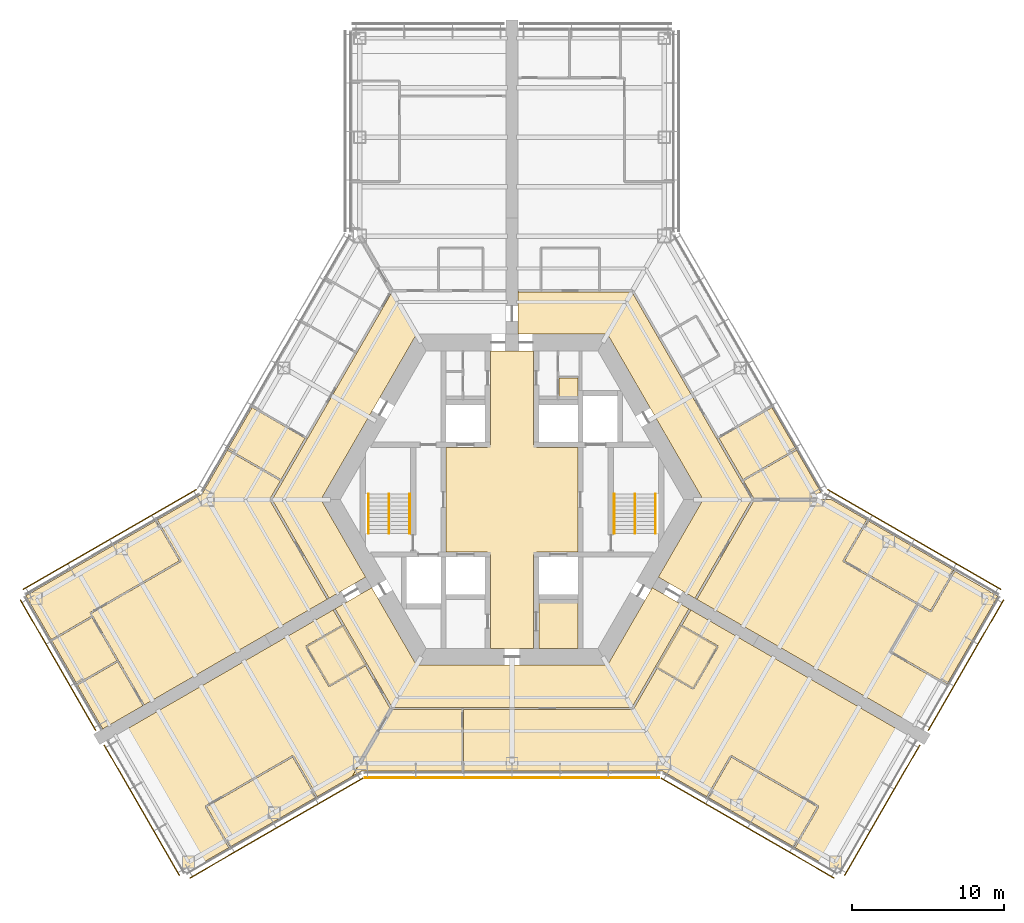
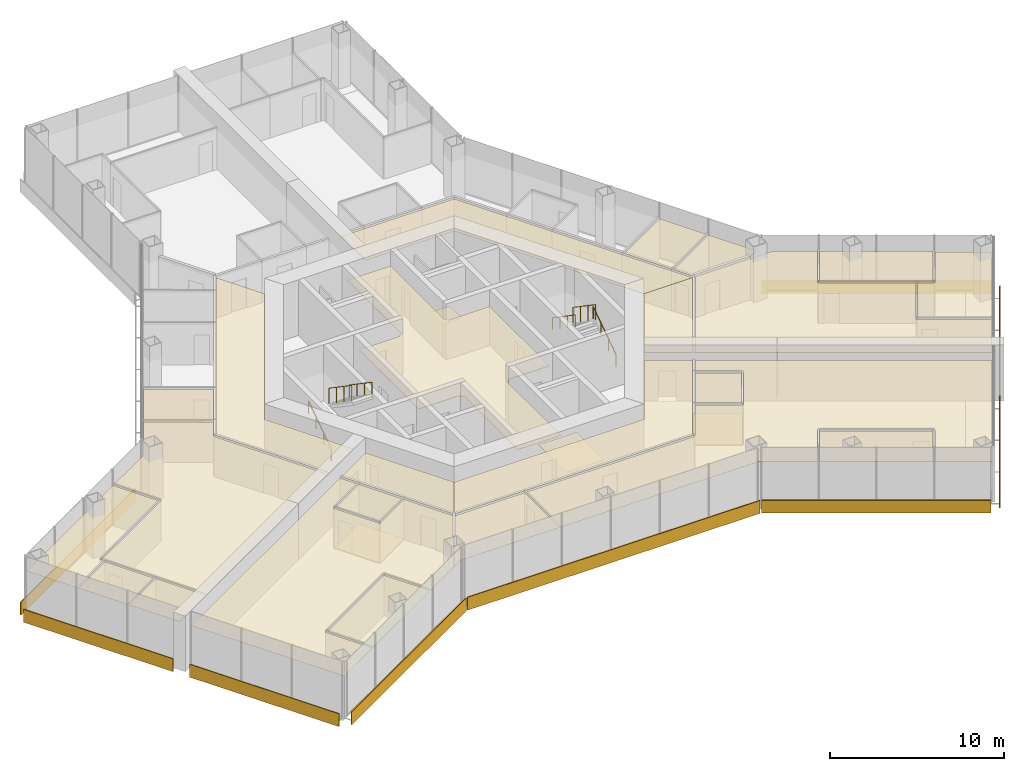
# One storey, part 18 of 19: 27 coverings, 9 shading devices, 6 railings.
"""IFC4 building model written with IfcOpenShell, lengths in metres."""

import ifcopenshell
import ifcopenshell.guid

model = None  # the IFC model being written
_history = None  # IfcOwnerHistory: only IFC2X3 demands one
_inside = {}  # id of a spatial element -> (the spatial element, [elements in it])
_under = {}  # id of a project, library or spatial element -> (it, [spatial elements below it])
_declared = {}  # id of a project -> (the project, [libraries it declares])
_typed = {}  # id of a type object -> (the type object, [elements of that type])
_made_of = {}  # id of a material, layer set ... -> (it, [elements and type objects made of it])


def new_model(schema):
    """Start an empty IFC model of exactly this schema.

    Asked for "IFC4X3", IfcOpenShell would pick the latest addendum, in which some entities
    have other attributes; the version numbers below select the first issue.
    IFC2X3 requires an IfcOwnerHistory on every rooted entity: one is made here for all.
    """
    global model, _history
    if schema == "IFC4X3":
        model = ifcopenshell.file(schema_version=(4, 3, 0, 0))
    else:
        model = ifcopenshell.file(schema=schema)
    _inside.clear()
    _under.clear()
    _declared.clear()
    _typed.clear()
    _made_of.clear()
    _history = None
    if model.schema == "IFC2X3":
        org = make("IfcOrganization", Name="unknown")
        user = make(
            "IfcPersonAndOrganization",
            ThePerson=make("IfcPerson", FamilyName="unknown"),
            TheOrganization=org,
        )
        app = make(
            "IfcApplication",
            ApplicationDeveloper=org,
            Version="unknown",
            ApplicationFullName="unknown",
            ApplicationIdentifier="unknown",
        )
        _history = make(
            "IfcOwnerHistory",
            OwningUser=user,
            OwningApplication=app,
            ChangeAction="ADDED",
            CreationDate=0,
        )
    return model


def make(cls, **values):
    """One entity of the class cls with the attributes given. An attribute that is None is left unset."""
    return model.create_entity(
        cls, **{name: value for name, value in values.items() if value is not None}
    )


def rooted(cls, **values):
    """An entity with a GlobalId (a new one), such as an element, a storey or a relation."""
    return make(cls, GlobalId=ifcopenshell.guid.new(), OwnerHistory=_history, **values)


def si_unit(unit_type, name, prefix=None):
    """IfcSIUnit, for example si_unit("LENGTHUNIT", "METRE", prefix="MILLI")."""
    return make("IfcSIUnit", UnitType=unit_type, Prefix=prefix, Name=name)


def assignment(units):
    """IfcUnitAssignment: the units of a project."""
    return None if units is None else make("IfcUnitAssignment", Units=units)


def point(xyz):
    """IfcCartesianPoint."""
    return None if xyz is None else make("IfcCartesianPoint", Coordinates=xyz)


def direction(xyz):
    """IfcDirection."""
    return None if xyz is None else make("IfcDirection", DirectionRatios=xyz)


def frame(location, z_axis=None, x_axis=None):
    """IfcAxis2Placement3D, a coordinate frame: its origin and axes. An axis left out is left unset."""
    return make(
        "IfcAxis2Placement3D",
        Location=point(location),
        Axis=direction(z_axis),
        RefDirection=direction(x_axis),
    )


def frame_2d(location, x_axis=None):
    """IfcAxis2Placement2D, a coordinate frame in the plane: its origin and x axis."""
    return make(
        "IfcAxis2Placement2D", Location=point(location), RefDirection=direction(x_axis)
    )


def origin():
    """The frame at (0, 0, 0) with its axes left unset."""
    return frame((0.0, 0.0, 0.0))


def origin_2d():
    """The frame at (0, 0) in the plane with its x axis left unset."""
    return frame_2d((0.0, 0.0))


def place(relative_to, where):
    """IfcLocalPlacement: puts the frame where relative to a parent placement (None: the world)."""
    return make(
        "IfcLocalPlacement", PlacementRelTo=relative_to, RelativePlacement=where
    )


def context(
    kind, dimensions, precision=None, world=None, true_north=None, identifier=None
):
    """IfcGeometricRepresentationContext, for example the 3D "Model" context."""
    return make(
        "IfcGeometricRepresentationContext",
        ContextIdentifier=identifier,
        ContextType=kind,
        CoordinateSpaceDimension=dimensions,
        Precision=precision,
        WorldCoordinateSystem=world,
        TrueNorth=true_north,
    )


def subcontext(parent, identifier, kind, view, scale=None):
    """IfcGeometricRepresentationSubContext, for example "Body" below "Model"."""
    return make(
        "IfcGeometricRepresentationSubContext",
        ContextIdentifier=identifier,
        ContextType=kind,
        ParentContext=parent,
        TargetScale=scale,
        TargetView=view,
    )


def project(units=None, contexts=None):
    """IfcProject with its units and contexts."""
    return rooted(
        "IfcProject",
        Name="project",
        RepresentationContexts=contexts,
        UnitsInContext=assignment(units),
    )


def spatial(cls, under=None, at=None, **own):
    """A site, building, storey or space (cls), placed at a placement, below another one or the project."""
    s = rooted(cls, ObjectPlacement=at, **own)
    if under is not None:
        _under.setdefault(under.id(), (under, []))[1].append(s)
    return s


def polyline(points):
    """IfcPolyline through the points."""
    return make("IfcPolyline", Points=[point(p) for p in points])


def profile(cls, at=None, kind="AREA", **sizes):
    """A parametric profile (cls). Its sizes go by their IFC names, for example OverallWidth=200.0."""
    return make(cls, ProfileType=kind, Position=at, **sizes)


def rectangle(**sizes):
    """IfcRectangleProfileDef."""
    return profile("IfcRectangleProfileDef", **sizes)


def circle(**sizes):
    """IfcCircleProfileDef."""
    return profile("IfcCircleProfileDef", **sizes)


def outline(outer, holes=None, kind="AREA"):
    """IfcArbitraryClosedProfileDef: a profile drawn as a closed curve; with holes, ...WithVoids."""
    if holes is None:
        return make("IfcArbitraryClosedProfileDef", ProfileType=kind, OuterCurve=outer)
    return make(
        "IfcArbitraryProfileDefWithVoids",
        ProfileType=kind,
        OuterCurve=outer,
        InnerCurves=holes,
    )


def extrude(swept, where, along, depth):
    """IfcExtrudedAreaSolid: the profile swept, set in the frame where, extruded along a direction by depth."""
    return make(
        "IfcExtrudedAreaSolid",
        SweptArea=swept,
        Position=where,
        ExtrudedDirection=direction(along),
        Depth=depth,
    )


def shape(context_of_items, identifier, shape_type, items):
    """IfcShapeRepresentation: the items that make up one representation, for example the "Body"."""
    return make(
        "IfcShapeRepresentation",
        ContextOfItems=context_of_items,
        RepresentationIdentifier=identifier,
        RepresentationType=shape_type,
        Items=items,
    )


def material(Name=None, Category=None):
    """IfcMaterial."""
    return make("IfcMaterial", Name=Name, Category=Category)


def layer(
    of_material, thickness, ventilated=None, Name=None, Category=None, Priority=None
):
    """IfcMaterialLayer: one layer of a wall or slab, of a material (None: an air gap)."""
    return make(
        "IfcMaterialLayer",
        Material=of_material,
        LayerThickness=thickness,
        IsVentilated=ventilated,
        Name=Name,
        Category=Category,
        Priority=Priority,
    )


def layer_set(layers, Name=None):
    """IfcMaterialLayerSet."""
    return make("IfcMaterialLayerSet", MaterialLayers=layers, LayerSetName=Name)


def made_of(thing, what):
    """Note that an element or type object is made of a material, layer set ...; save() writes the relation."""
    if what is not None:
        _made_of.setdefault(what.id(), (what, []))[1].append(thing)
    return thing


def type_object(cls, material=None, **own):
    """A type object (cls), such as IfcWallType, which elements share."""
    return made_of(rooted(cls, **own), material)


def element(
    cls,
    number,
    at=None,
    inside=None,
    cuts=None,
    type_object=None,
    material=None,
    context=None,
    identifier="Body",
    shape_type=None,
    held_by="IfcProductDefinitionShape",
    body=None,
    shapes=None,
    **own,
):
    """One element of the class cls, such as IfcWall. Its Tag is "e" and its number.

    at: its placement. inside: the storey or other place that contains it. cuts: it is an
    opening in that element (IfcRelVoidsElement). A single representation is given by context,
    identifier, shape_type and body (its items); several are given by shapes. held_by: the class
    of the entity that holds the representations. save() writes the other relations.
    """
    e = rooted(cls, Tag="e%d" % number, ObjectPlacement=at, **own)
    if body is not None:
        shapes = [shape(context, identifier, shape_type, body)]
    if shapes is not None:
        e.Representation = make(held_by, Representations=shapes)
    if inside is not None:
        _inside.setdefault(inside.id(), (inside, []))[1].append(e)
    if cuts is not None:
        rooted(
            "IfcRelVoidsElement", RelatingBuildingElement=cuts, RelatedOpeningElement=e
        )
    if type_object is not None:
        _typed.setdefault(type_object.id(), (type_object, []))[1].append(e)
    return made_of(e, material)


def aggregate(whole, parts):
    """IfcRelAggregates: a whole, such as a stair, and the parts it consists of."""
    return rooted("IfcRelAggregates", RelatingObject=whole, RelatedObjects=parts)


def save(model, path):
    """Write the relations noted so far, then the file.

    IfcRelAggregates (storeys below a building ...), IfcRelContainedInSpatialStructure (elements
    in a storey), IfcRelDefinesByType, IfcRelAssociatesMaterial and IfcRelDeclares: one each for
    every whole, place, type object, material and project.
    """
    for whole, parts in _under.values():
        aggregate(whole, parts)
    for where, things in _inside.values():
        rooted(
            "IfcRelContainedInSpatialStructure",
            RelatedElements=things,
            RelatingStructure=where,
        )
    for kind, things in _typed.values():
        rooted("IfcRelDefinesByType", RelatedObjects=things, RelatingType=kind)
    for what, things in _made_of.values():
        rooted("IfcRelAssociatesMaterial", RelatedObjects=things, RelatingMaterial=what)
    for by, libraries in _declared.values():
        rooted("IfcRelDeclares", RelatingContext=by, RelatedDefinitions=libraries)
    model.write(path)


model = new_model("IFC4")

# Units and contexts
model_context = context("Model", 3, precision=1e-05, world=origin(), true_north=direction((0.0, 1.0)))
body_context = subcontext(model_context, "Body", "Model", "MODEL_VIEW")
ifc_project = project(units=[si_unit("LENGTHUNIT", "METRE"), si_unit("AREAUNIT", "SQUARE_METRE"), si_unit("VOLUMEUNIT", "CUBIC_METRE"), si_unit("PLANEANGLEUNIT", "RADIAN"), si_unit("MASSUNIT", "GRAM", prefix="KILO")], contexts=[model_context])

# Site, building, storey
site_placement = place(None, origin())
site = spatial("IfcSite", under=ifc_project, at=site_placement, CompositionType="ELEMENT")
building_placement = place(site_placement, origin())
building = spatial("IfcBuilding", under=site, at=building_placement, Name="Kasaneha Research Tower", CompositionType="ELEMENT")
storey_placement = place(building_placement, frame((0.0, 0.0, 104.10009765625)))
storey = spatial("IfcBuildingStorey", under=building, at=storey_placement, Name="L26", CompositionType="ELEMENT", Elevation=104.10009765625)

# Covering
ifc_material_1 = material(Name="Aluminium panel ceiling", Category="aluminium")
ifc_layer_1 = layer(ifc_material_1, 0.0400390625)
ifc_layer_set_1 = layer_set([ifc_layer_1], Name="Lift lobby ceiling 40")
covering_type_1 = type_object("IfcCoveringType", Name="Lift lobby ceiling 40", PredefinedType="CEILING", material=ifc_layer_set_1)
covering_1_placement = place(storey_placement, frame((0.0, 0.0, 2.699951171875)))
element("IfcCovering", 1, at=covering_1_placement, inside=storey, type_object=covering_type_1, Name="Ceiling L26-01", PredefinedType="CEILING", context=body_context, shape_type="SweptSolid", body=[
    extrude(outline(polyline([(1.425048828125, 9.77490234375), (1.425048828125, 3.60009765625), (1.60009765625, 3.60009765625), (1.60009765625, 3.425048828125), (4.324951171875, 3.425048828125), (4.324951171875, -3.425048828125), (1.60009765625, -3.425048828125), (1.60009765625, -3.60009765625), (1.425048828125, -3.60009765625), (1.425048828125, -9.77490234375), (-1.425048828125, -9.77490234375), (-1.425048828125, -3.60009765625), (-1.60009765625, -3.60009765625), (-1.60009765625, -3.425048828125), (-4.324951171875, -3.425048828125), (-4.324951171875, 3.425048828125), (-1.60009765625, 3.425048828125), (-1.60009765625, 3.60009765625), (-1.425048828125, 3.60009765625), (-1.425048828125, 9.77490234375), (1.425048828125, 9.77490234375)])), origin(), (0.0, 0.0, 1.0), 0.0400390625),
])

# Railings
ifc_material_2 = material(Name="Steel", Category="steel")
railing_type_1 = type_object("IfcRailingType", Name="Stair balustrade 1100", PredefinedType="GUARDRAIL", material=ifc_material_2)
for number, where, name in (
    (2, (8.074951171875, 0.375, 2.127197265625), "Stair 1 balustrade L26"),
    (3, (-8.074951171875, 0.375, 2.127197265625), "Stair 2 balustrade L26"),
):
    element("IfcRailing", number, at=place(storey_placement, frame(where)), inside=storey, type_object=railing_type_1, Name=name, PredefinedType="GUARDRAIL", context=body_context, shape_type="SweptSolid", body=[
        extrude(circle(Radius=0.02392578125, at=origin_2d()), frame((0.0, 0.0, 1.076171875), z_axis=(0.0, -0.826240473404, 0.563317565952), x_axis=(1.0, 0.0, 0.0)), (0.0, 0.0, 1.0), 3.14697265625),
        extrude(circle(Radius=0.02099609375, at=origin_2d()), origin(), (0.0, 0.0, 1.0), 1.052001953125),
        extrude(circle(Radius=0.02099609375, at=origin_2d()), frame((0.0, -0.86669921875, 0.5908203125)), (0.0, 0.0, 1.0), 1.052001953125),
        extrude(circle(Radius=0.02099609375, at=origin_2d()), frame((0.0, -1.7333984375, 1.181884765625)), (0.0, 0.0, 1.0), 1.052001953125),
        extrude(circle(Radius=0.02099609375, at=origin_2d()), frame((0.0, -2.60009765625, 1.772705078125)), (0.0, 0.0, 1.0), 1.052001953125),
    ])
ifc_material_3 = material(Name="Steel", Category="steel")
railing_type_2 = type_object("IfcRailingType", Name="Stair handrail 850", PredefinedType="HANDRAIL", material=ifc_material_3)
railing_1_placement = place(storey_placement, frame((9.425048828125, -2.22509765625, 0.17724609375)))
element("IfcRailing", 4, at=railing_1_placement, inside=storey, type_object=railing_type_2, Name="Stair 1 handrail L26", PredefinedType="HANDRAIL", context=body_context, shape_type="SweptSolid", body=[
    extrude(circle(Radius=0.02392578125, at=origin_2d()), frame((0.0, 0.0, 0.826171875), z_axis=(0.0, 0.826240473404, 0.563317565952), x_axis=(-1.0, 0.0, 0.0)), (0.0, 0.0, 1.0), 3.14697265625),
    extrude(circle(Radius=0.02099609375, at=origin_2d()), origin(), (0.0, 0.0, 1.0), 0.802001953125),
    extrude(circle(Radius=0.02099609375, at=origin_2d()), frame((0.0, 0.86669921875, 0.5908203125)), (0.0, 0.0, 1.0), 0.802001953125),
    extrude(circle(Radius=0.02099609375, at=origin_2d()), frame((0.0, 1.7333984375, 1.181884765625)), (0.0, 0.0, 1.0), 0.802001953125),
    extrude(circle(Radius=0.02099609375, at=origin_2d()), frame((0.0, 2.60009765625, 1.772705078125)), (0.0, 0.0, 1.0), 0.802001953125),
])
railing_2_placement = place(storey_placement, frame((6.72509765625, 0.375, 2.127197265625)))
element("IfcRailing", 5, at=railing_2_placement, inside=storey, type_object=railing_type_2, Name="Stair 1 handrail L26", PredefinedType="HANDRAIL", context=body_context, shape_type="SweptSolid", body=[
    extrude(circle(Radius=0.02392578125, at=origin_2d()), frame((0.0, 0.0, 0.826171875), z_axis=(0.0, -0.826240473404, 0.563317565952), x_axis=(1.0, 0.0, 0.0)), (0.0, 0.0, 1.0), 3.14697265625),
    extrude(circle(Radius=0.02099609375, at=origin_2d()), origin(), (0.0, 0.0, 1.0), 0.802001953125),
    extrude(circle(Radius=0.02099609375, at=origin_2d()), frame((0.0, -0.86669921875, 0.5908203125)), (0.0, 0.0, 1.0), 0.802001953125),
    extrude(circle(Radius=0.02099609375, at=origin_2d()), frame((0.0, -1.7333984375, 1.181884765625)), (0.0, 0.0, 1.0), 0.802001953125),
    extrude(circle(Radius=0.02099609375, at=origin_2d()), frame((0.0, -2.60009765625, 1.772705078125)), (0.0, 0.0, 1.0), 0.802001953125),
])
railing_3_placement = place(storey_placement, frame((-9.425048828125, -2.22509765625, 0.17724609375)))
element("IfcRailing", 6, at=railing_3_placement, inside=storey, type_object=railing_type_2, Name="Stair 2 handrail L26", PredefinedType="HANDRAIL", context=body_context, shape_type="SweptSolid", body=[
    extrude(circle(Radius=0.02392578125, at=origin_2d()), frame((0.0, 0.0, 0.826171875), z_axis=(0.0, 0.826240473404, 0.563317565952), x_axis=(-1.0, 0.0, 0.0)), (0.0, 0.0, 1.0), 3.14697265625),
    extrude(circle(Radius=0.02099609375, at=origin_2d()), origin(), (0.0, 0.0, 1.0), 0.802001953125),
    extrude(circle(Radius=0.02099609375, at=origin_2d()), frame((0.0, 0.86669921875, 0.5908203125)), (0.0, 0.0, 1.0), 0.802001953125),
    extrude(circle(Radius=0.02099609375, at=origin_2d()), frame((0.0, 1.7333984375, 1.181884765625)), (0.0, 0.0, 1.0), 0.802001953125),
    extrude(circle(Radius=0.02099609375, at=origin_2d()), frame((0.0, 2.60009765625, 1.772705078125)), (0.0, 0.0, 1.0), 0.802001953125),
])
railing_4_placement = place(storey_placement, frame((-6.72509765625, 0.375, 2.127197265625)))
element("IfcRailing", 7, at=railing_4_placement, inside=storey, type_object=railing_type_2, Name="Stair 2 handrail L26", PredefinedType="HANDRAIL", context=body_context, shape_type="SweptSolid", body=[
    extrude(circle(Radius=0.02392578125, at=origin_2d()), frame((0.0, 0.0, 0.826171875), z_axis=(0.0, -0.826240473404, 0.563317565952), x_axis=(1.0, 0.0, 0.0)), (0.0, 0.0, 1.0), 3.14697265625),
    extrude(circle(Radius=0.02099609375, at=origin_2d()), origin(), (0.0, 0.0, 1.0), 0.802001953125),
    extrude(circle(Radius=0.02099609375, at=origin_2d()), frame((0.0, -0.86669921875, 0.5908203125)), (0.0, 0.0, 1.0), 0.802001953125),
    extrude(circle(Radius=0.02099609375, at=origin_2d()), frame((0.0, -1.7333984375, 1.181884765625)), (0.0, 0.0, 1.0), 0.802001953125),
    extrude(circle(Radius=0.02099609375, at=origin_2d()), frame((0.0, -2.60009765625, 1.772705078125)), (0.0, 0.0, 1.0), 0.802001953125),
])

# Coverings
ifc_material_4 = material(Name="Gypsum ceiling board", Category="gypsum")
ifc_layer_2 = layer(ifc_material_4, 0.02001953125)
ifc_layer_set_2 = layer_set([ifc_layer_2], Name="Suspended ceiling 20")
covering_type_2 = type_object("IfcCoveringType", Name="Suspended ceiling 20", PredefinedType="CEILING", material=ifc_layer_set_2)
covering_2_placement = place(storey_placement, frame((0.0, 0.0, 2.7998046875)))
element("IfcCovering", 8, at=covering_2_placement, inside=storey, type_object=covering_type_2, Name="Ceiling L26-26", PredefinedType="CEILING", context=body_context, shape_type="SweptSolid", body=[
    extrude(outline(polyline([(6.278564453125, 10.875), (0.39990234375, 10.875), (0.39990234375, 11.72509765625), (0.39990234375, 12.72509765625), (0.39990234375, 13.72509765625), (0.419921875, 13.72509765625), (0.419921875, 13.64990234375), (1.89501953125, 13.64990234375), (1.904541015625, 13.64990234375), (5.75244140625, 13.64990234375), (5.761962890625, 13.64990234375), (7.880859375, 13.64990234375), (9.62353515625, 10.631591796875), (9.62353515625, 10.631591796875), (11.123779296875, 8.033203125), (11.123779296875, 8.033203125), (13.446533203125, 4.009765625), (13.44677734375, 4.009765625), (15.070068359375, 1.19775390625), (15.070068359375, 1.19775390625), (15.76171875, 0.0), (15.76171875, 0.0), (12.557373046875, 0.0), (6.278564453125, 10.875)])), origin(), (0.0, 0.0, 1.0), 0.02001953125),
])
covering_3_placement = place(storey_placement, frame((0.0, 0.0, 2.7998046875)))
element("IfcCovering", 9, at=covering_3_placement, inside=storey, type_object=covering_type_2, Name="Ceiling L26-32", PredefinedType="CEILING", context=body_context, shape_type="SweptSolid", body=[
    extrude(outline(polyline([(18.662109375, 3.27734375), (18.63720703125, 3.320556640625), (15.170166015625, 1.32470703125), (13.6015625, 4.04150390625), (17.081298828125, 6.055419921875), (18.679443359375, 3.287353515625), (18.662109375, 3.27734375)])), origin(), (0.0, 0.0, 1.0), 0.02001953125),
])
covering_4_placement = place(storey_placement, frame((0.0, 0.0, 2.7998046875)))
element("IfcCovering", 10, at=covering_4_placement, inside=storey, type_object=covering_type_2, Name="Ceiling L26-33", PredefinedType="CEILING", context=body_context, shape_type="SweptSolid", body=[
    extrude(outline(polyline([(20.28759765625, 0.501708984375), (19.41845703125, 0.0), (15.84814453125, 0.0), (15.836669921875, 0.02001953125), (15.901611328125, 0.0576171875), (15.22021484375, 1.238037109375), (18.68701171875, 3.23388671875), (18.662109375, 3.27734375), (18.679443359375, 3.287353515625), (20.28759765625, 0.501708984375)])), origin(), (0.0, 0.0, 1.0), 0.02001953125),
])
covering_5_placement = place(storey_placement, frame((0.0, 0.0, 2.7998046875)))
element("IfcCovering", 11, at=covering_5_placement, inside=storey, type_object=covering_type_2, Name="Ceiling L26-40", PredefinedType="CEILING", context=body_context, shape_type="SweptSolid", body=[
    extrude(outline(polyline([(-12.557373046875, 0.0), (-9.617919921875, -5.091064453125), (-12.01025390625, -6.47216796875), (-12.086181640625, -6.51611328125), (-12.09619140625, -6.498779296875), (-12.03125, -6.461181640625), (-15.76171875, 0.0), (-15.070068359375, 1.19775390625), (-15.070068359375, 1.19775390625), (-13.44677734375, 4.009765625), (-13.446533203125, 4.009765625), (-10.20068359375, 9.632080078125), (-10.200439453125, 9.632080078125), (-8.577392578125, 12.443603515625), (-8.577392578125, 12.443603515625), (-7.880859375, 13.64990234375), (-7.880859375, 13.64990234375), (-6.278564453125, 10.875), (-12.557373046875, 0.0)])), origin(), (0.0, 0.0, 1.0), 0.02001953125),
])
covering_6_placement = place(storey_placement, frame((0.0, 0.0, 2.7998046875)))
element("IfcCovering", 12, at=covering_6_placement, inside=storey, type_object=covering_type_2, Name="Ceiling L26-41", PredefinedType="CEILING", context=body_context, shape_type="SweptSolid", body=[
    extrude(outline(polyline([(-23.332275390625, -1.36962890625), (-23.37548828125, -1.39453125), (-21.860595703125, -4.018798828125), (-27.730224609375, -7.40869140625), (-27.705322265625, -7.4521484375), (-27.705322265625, -7.4521484375), (-27.582763671875, -7.6650390625), (-27.600341796875, -7.634765625), (-30.283203125, -9.189208984375), (-30.258056640625, -9.232421875), (-30.25830078125, -9.232666015625), (-31.94189453125, -6.31689453125), (-29.075439453125, -4.661865234375), (-28.665771484375, -5.370849609375), (-29.074951171875, -4.662109375), (-23.34228515625, -1.352294921875), (-23.332275390625, -1.36962890625)])), origin(), (0.0, 0.0, 1.0), 0.02001953125),
])
covering_7_placement = place(storey_placement, frame((0.0, 0.0, 2.7998046875)))
element("IfcCovering", 13, at=covering_7_placement, inside=storey, type_object=covering_type_2, Name="Ceiling L26-42", PredefinedType="CEILING", context=body_context, shape_type="SweptSolid", body=[
    extrude(outline(polyline([(-18.679443359375, 3.287353515625), (-17.081298828125, 6.055419921875), (-13.6015625, 4.04150390625), (-15.17041015625, 1.32421875), (-18.63720703125, 3.320556640625), (-18.662109375, 3.27734375), (-18.679443359375, 3.287353515625)])), origin(), (0.0, 0.0, 1.0), 0.02001953125),
])
covering_8_placement = place(storey_placement, frame((0.0, 0.0, 2.7998046875)))
element("IfcCovering", 14, at=covering_8_placement, inside=storey, type_object=covering_type_2, Name="Ceiling L26-43", PredefinedType="CEILING", context=body_context, shape_type="SweptSolid", body=[
    extrude(outline(polyline([(-30.249755859375, -9.246826171875), (-30.23291015625, -9.27587890625), (-27.59765625, -7.748779296875), (-25.96435546875, -10.577880859375), (-28.599609375, -12.10498046875), (-30.249755859375, -9.246826171875)])), origin(), (0.0, 0.0, 1.0), 0.02001953125),
])
covering_9_placement = place(storey_placement, frame((0.0, 0.0, 2.7998046875)))
element("IfcCovering", 15, at=covering_9_placement, inside=storey, type_object=covering_type_2, Name="Ceiling L26-44", PredefinedType="CEILING", context=body_context, shape_type="SweptSolid", body=[
    extrude(outline(polyline([(-24.20654296875, -13.513916015625), (-26.891357421875, -15.063720703125), (-28.572021484375, -12.152587890625), (-28.549560546875, -12.19140625), (-25.914306640625, -10.664306640625), (-24.260009765625, -13.521484375), (-24.216796875, -13.49658203125), (-24.20654296875, -13.513916015625)])), origin(), (0.0, 0.0, 1.0), 0.02001953125),
])
covering_10_placement = place(storey_placement, frame((0.0, 0.0, 2.7998046875)))
element("IfcCovering", 16, at=covering_10_placement, inside=storey, type_object=covering_type_2, Name="Ceiling L26-47", PredefinedType="CEILING", context=body_context, shape_type="SweptSolid", body=[
    extrude(outline(polyline([(-27.705322265625, -7.4521484375), (-27.68017578125, -7.495361328125), (-21.76708984375, -4.080322265625), (-21.7919921875, -4.037353515625), (-21.791748046875, -4.037353515625), (-21.7919921875, -4.036865234375), (-21.748779296875, -4.011962890625), (-23.288818359375, -1.344482421875), (-23.331787109375, -1.369384765625), (-23.341796875, -1.35205078125), (-20.365966796875, 0.365966796875), (-18.6796875, 3.286865234375), (-18.662353515625, 3.27685546875), (-18.68701171875, 3.23388671875), (-15.220458984375, 1.237548828125), (-15.913330078125, 0.03759765625), (-15.8486328125, 0.000244140625), (-15.8486328125, -0.000244140625), (-15.8486328125, -0.000244140625), (-15.913330078125, -0.03759765625), (-12.1611328125, -6.536376953125), (-12.0966796875, -6.4990234375), (-12.086669921875, -6.516357421875), (-13.1748046875, -7.14453125), (-24.206298828125, -13.513671875), (-24.21630859375, -13.496337890625), (-24.17333984375, -13.471435546875), (-25.850341796875, -10.575439453125), (-27.533447265625, -7.65966796875), (-27.572509765625, -7.68212890625), (-27.705322265625, -7.4521484375), (-27.705322265625, -7.4521484375)])), origin(), (0.0, 0.0, 1.0), 0.02001953125),
])
covering_11_placement = place(storey_placement, frame((0.0, 0.0, 2.7998046875)))
element("IfcCovering", 17, at=covering_11_placement, inside=storey, type_object=covering_type_2, Name="Ceiling L26-49", PredefinedType="CEILING", context=body_context, shape_type="SweptSolid", body=[
    extrude(outline(polyline([(-7.880859375, -13.64990234375), (-7.880859375, -13.64990234375), (-9.5234375, -10.8046875), (-9.5234375, -10.804931640625), (-11.023681640625, -8.206298828125), (-11.023681640625, -8.206298828125), (-11.611328125, -7.188720703125), (-11.67626953125, -7.226318359375), (-11.686279296875, -7.208984375), (-9.218017578125, -5.783935546875), (-6.278564453125, -10.875), (-7.880859375, -13.64990234375)])), origin(), (0.0, 0.0, 1.0), 0.02001953125),
])
covering_12_placement = place(storey_placement, frame((0.0, 0.0, 2.7998046875)))
element("IfcCovering", 18, at=covering_12_placement, inside=storey, type_object=covering_type_2, Name="Ceiling L26-50", PredefinedType="CEILING", context=body_context, shape_type="SweptSolid", body=[
    extrude(outline(polyline([(-9.67822265625, -10.836669921875), (-11.992919921875, -12.177734375), (-13.44287109375, -9.66650390625), (-11.1240234375, -8.332763671875), (-9.67822265625, -10.836669921875)])), origin(), (0.0, 0.0, 1.0), 0.02001953125),
])
covering_13_placement = place(storey_placement, frame((0.0, 0.0, 2.7998046875)))
element("IfcCovering", 19, at=covering_13_placement, inside=storey, type_object=covering_type_2, Name="Ceiling L26-51", PredefinedType="CEILING", context=body_context, shape_type="SweptSolid", body=[
    extrude(outline(polyline([(-18.574951171875, -22.8486328125), (-18.5849609375, -22.831298828125), (-18.541748046875, -22.806396484375), (-20.056640625, -20.18212890625), (-14.410400390625, -16.92236328125), (-12.885498046875, -19.563720703125), (-12.84228515625, -19.538818359375), (-12.84228515625, -19.538818359375), (-18.574951171875, -22.8486328125)])), origin(), (0.0, 0.0, 1.0), 0.02001953125),
])
covering_14_placement = place(storey_placement, frame((0.0, 0.0, 2.7998046875)))
element("IfcCovering", 20, at=covering_14_placement, inside=storey, type_object=covering_type_2, Name="Ceiling L26-52", PredefinedType="CEILING", context=body_context, shape_type="SweptSolid", body=[
    extrude(outline(polyline([(-13.511474609375, -9.648193359375), (-13.511474609375, -9.648193359375), (-13.554443359375, -9.673095703125), (-12.054443359375, -12.271240234375), (-12.011474609375, -12.246337890625), (-12.011474609375, -12.24658203125), (-12.010986328125, -12.246337890625), (-11.986083984375, -12.28955078125), (-9.628173828125, -10.923095703125), (-8.000732421875, -13.742431640625), (-7.93603515625, -13.705322265625), (-7.92431640625, -13.725341796875), (-10.5, -18.1865234375), (-12.841796875, -19.53857421875), (-12.841796875, -19.53857421875), (-12.798828125, -19.513916015625), (-14.348876953125, -16.8291015625), (-14.39208984375, -16.85400390625), (-14.392333984375, -16.853515625), (-14.392333984375, -16.853759765625), (-14.417236328125, -16.810791015625), (-20.14990234375, -20.12060546875), (-20.125244140625, -20.16357421875), (-20.125244140625, -20.16357421875), (-20.125, -20.163818359375), (-20.168212890625, -20.18896484375), (-18.62841796875, -22.856201171875), (-18.58544921875, -22.83154296875), (-18.575439453125, -22.848876953125), (-21.44140625, -24.50341796875), (-26.491455078125, -15.756591796875), (-11.6865234375, -7.209228515625), (-11.6767578125, -7.2265625), (-11.7412109375, -7.263671875), (-11.174072265625, -8.24609375), (-13.5361328125, -9.604736328125), (-13.51123046875, -9.64794921875), (-13.511474609375, -9.648193359375)])), origin(), (0.0, 0.0, 1.0), 0.02001953125),
])
covering_15_placement = place(storey_placement, frame((0.0, 0.0, 2.7998046875)))
element("IfcCovering", 21, at=covering_15_placement, inside=storey, type_object=covering_type_2, Name="Ceiling L26-53", PredefinedType="CEILING", context=body_context, shape_type="SweptSolid", body=[
    extrude(outline(polyline([(9.617919921875, -5.091064453125), (12.557373046875, 0.0), (15.76171875, 0.0), (12.03125, -6.461181640625), (12.09619140625, -6.498779296875), (12.086181640625, -6.51611328125), (12.01025390625, -6.47216796875), (9.617919921875, -5.091064453125)])), origin(), (0.0, 0.0, 1.0), 0.02001953125),
])
covering_16_placement = place(storey_placement, frame((0.0, 0.0, 2.7998046875)))
element("IfcCovering", 22, at=covering_16_placement, inside=storey, type_object=covering_type_2, Name="Ceiling L26-54", PredefinedType="CEILING", context=body_context, shape_type="SweptSolid", body=[
    extrude(outline(polyline([(29.074951171875, -4.662109375), (29.0625, -4.68359375), (29.019287109375, -4.65869140625), (27.506591796875, -7.278564453125), (26.6962890625, -6.810546875), (26.6962890625, -6.810546875), (21.860595703125, -4.018798828125), (23.37548828125, -1.39453125), (23.332275390625, -1.36962890625), (23.34228515625, -1.352294921875), (29.074951171875, -4.662109375)])), origin(), (0.0, 0.0, 1.0), 0.02001953125),
])
covering_17_placement = place(storey_placement, frame((0.0, 0.0, 2.7998046875)))
element("IfcCovering", 23, at=covering_17_placement, inside=storey, type_object=covering_type_2, Name="Ceiling L26-55", PredefinedType="CEILING", context=body_context, shape_type="SweptSolid", body=[
    extrude(outline(polyline([(31.92626953125, -6.343017578125), (28.599609375, -12.10498046875), (24.919189453125, -9.97998046875), (26.689453125, -6.922119140625), (27.5, -7.39013671875), (27.52490234375, -7.3466796875), (27.568359375, -7.371826171875), (29.103271484375, -4.713134765625), (31.92626953125, -6.343017578125)])), origin(), (0.0, 0.0, 1.0), 0.02001953125),
])
covering_18_placement = place(storey_placement, frame((0.0, 0.0, 2.7998046875)))
element("IfcCovering", 24, at=covering_18_placement, inside=storey, type_object=covering_type_2, Name="Ceiling L26-56", PredefinedType="CEILING", context=body_context, shape_type="SweptSolid", body=[
    extrude(outline(polyline([(21.0, 0.0), (23.341796875, -1.35205078125), (23.331787109375, -1.369384765625), (23.288818359375, -1.344482421875), (21.748779296875, -4.011962890625), (21.7919921875, -4.036865234375), (21.791748046875, -4.037353515625), (21.7919921875, -4.037353515625), (21.76708984375, -4.080322265625), (26.60302734375, -6.8720703125), (24.8076171875, -9.97314453125), (24.8505859375, -9.998046875), (24.850341796875, -9.99853515625), (24.8505859375, -9.99853515625), (24.82568359375, -10.04150390625), (28.5498046875, -12.19140625), (26.891357421875, -15.063720703125), (14.937744140625, -8.162353515625), (12.086669921875, -6.516357421875), (12.0966796875, -6.4990234375), (12.1611328125, -6.536376953125), (15.901611328125, -0.0576171875), (15.837158203125, -0.020263671875), (15.848876953125, 0.0), (21.0, 0.0)])), origin(), (0.0, 0.0, 1.0), 0.02001953125),
])
covering_19_placement = place(storey_placement, frame((0.0, 0.0, 2.7998046875)))
element("IfcCovering", 25, at=covering_19_placement, inside=storey, type_object=covering_type_2, Name="Ceiling L26-57", PredefinedType="CEILING", context=body_context, shape_type="SweptSolid", body=[
    extrude(outline(polyline([(-6.278564453125, -10.875), (6.278564453125, -10.875), (9.218017578125, -5.783935546875), (11.686279296875, -7.208984375), (11.67626953125, -7.226318359375), (11.611328125, -7.188720703125), (11.023681640625, -8.206298828125), (11.023681640625, -8.206298828125), (9.423583984375, -10.97802734375), (9.42333984375, -10.97802734375), (7.880859375, -13.64990234375), (-3.241455078125, -13.64990234375), (-3.2509765625, -13.64990234375), (-7.880859375, -13.64990234375), (-6.278564453125, -10.875)])), origin(), (0.0, 0.0, 1.0), 0.02001953125),
])
covering_20_placement = place(storey_placement, frame((0.0, 0.0, 2.7998046875)))
element("IfcCovering", 26, at=covering_20_placement, inside=storey, type_object=covering_type_2, Name="Ceiling L26-58", PredefinedType="CEILING", context=body_context, shape_type="SweptSolid", body=[
    extrude(outline(polyline([(11.892822265625, -12.35107421875), (9.578369140625, -11.009765625), (11.1240234375, -8.332763671875), (13.44287109375, -9.66650390625), (11.892822265625, -12.35107421875)])), origin(), (0.0, 0.0, 1.0), 0.02001953125),
])
covering_21_placement = place(storey_placement, frame((0.0, 0.0, 2.7998046875)))
element("IfcCovering", 27, at=covering_21_placement, inside=storey, type_object=covering_type_2, Name="Ceiling L26-59", PredefinedType="CEILING", context=body_context, shape_type="SweptSolid", body=[
    extrude(outline(polyline([(12.84228515625, -19.538818359375), (12.84228515625, -19.538818359375), (12.885498046875, -19.563720703125), (14.410400390625, -16.92236328125), (20.056640625, -20.18212890625), (18.541748046875, -22.806396484375), (18.5849609375, -22.831298828125), (18.574951171875, -22.8486328125), (12.84228515625, -19.538818359375)])), origin(), (0.0, 0.0, 1.0), 0.02001953125),
])
covering_22_placement = place(storey_placement, frame((0.0, 0.0, 2.7998046875)))
element("IfcCovering", 28, at=covering_22_placement, inside=storey, type_object=covering_type_2, Name="Ceiling L26-60", PredefinedType="CEILING", context=body_context, shape_type="SweptSolid", body=[
    extrude(outline(polyline([(-10.50048828125, -18.1865234375), (-7.924560546875, -13.72509765625), (-7.90087890625, -13.72509765625), (-7.90087890625, -13.800048828125), (-3.30078125, -13.800048828125), (-3.29638671875, -17.800537109375), (-3.246337890625, -17.800537109375), (-3.246337890625, -17.820556640625), (-9.865966796875, -17.821044921875), (-10.50048828125, -18.1865234375)])), origin(), (0.0, 0.0, 1.0), 0.02001953125),
])
covering_23_placement = place(storey_placement, frame((0.0, 0.0, 2.7998046875)))
element("IfcCovering", 29, at=covering_23_placement, inside=storey, type_object=covering_type_2, Name="Ceiling L26-61", PredefinedType="CEILING", context=body_context, shape_type="SweptSolid", body=[
    extrude(outline(polyline([(7.92431640625, -13.7255859375), (7.92431640625, -13.72509765625), (7.989013671875, -13.762451171875), (9.5283203125, -11.096435546875), (11.885986328125, -12.462646484375), (11.910888671875, -12.419677734375), (11.911376953125, -12.419921875), (11.911376953125, -12.419677734375), (11.954345703125, -12.4443359375), (13.554443359375, -9.673095703125), (13.511474609375, -9.648193359375), (13.511474609375, -9.648193359375), (13.51123046875, -9.64794921875), (13.5361328125, -9.604736328125), (11.174072265625, -8.24609375), (11.7412109375, -7.263671875), (11.6767578125, -7.2265625), (11.6865234375, -7.209228515625), (26.491455078125, -15.756591796875), (21.44140625, -24.50341796875), (18.575439453125, -22.848876953125), (18.58544921875, -22.83154296875), (18.62841796875, -22.856201171875), (20.168212890625, -20.18896484375), (20.125, -20.1640625), (20.125244140625, -20.16357421875), (20.125244140625, -20.16357421875), (20.14990234375, -20.12060546875), (14.417236328125, -16.810791015625), (14.392333984375, -16.853759765625), (14.392333984375, -16.853759765625), (14.39208984375, -16.85400390625), (14.348876953125, -16.8291015625), (12.798828125, -19.513916015625), (12.841796875, -19.53857421875), (12.841796875, -19.53857421875), (9.865966796875, -17.820556640625), (-3.245849609375, -17.820556640625), (-3.245849609375, -17.800537109375), (-3.1962890625, -17.800537109375), (-3.200927734375, -13.800048828125), (7.924072265625, -13.800048828125), (7.924072265625, -13.7255859375), (7.92431640625, -13.7255859375)])), origin(), (0.0, 0.0, 1.0), 0.02001953125),
])

# Shading devices
ifc_material_5 = material(Name="Terracotta", Category="masonry")
ifc_layer_3 = layer(ifc_material_5, 0.06005859375)
ifc_layer_set_3 = layer_set([ifc_layer_3], Name="Terracotta baguette screen")
shading_device_type = type_object("IfcShadingDeviceType", Name="Terracotta baguette screen", PredefinedType="USERDEFINED", material=ifc_layer_set_3)
shading_device_1_placement = place(storey_placement, frame((-15.483642578125, -21.58349609375, -0.449951171875), z_axis=(0.0, 0.0, 1.0), x_axis=(0.866025411464, 0.499999986699, 0.0)))
element("IfcShadingDevice", 30, at=shading_device_1_placement, inside=storey, type_object=shading_device_type, Name="Baguette screen L26 01", ObjectType="TERRACOTTA BAGUETTE SCREEN", PredefinedType="USERDEFINED", context=body_context, shape_type="SweptSolid", body=[
    extrude(rectangle(XDim=13.13916015625, YDim=0.06005859375, at=origin_2d()), origin(), (0.0, 0.0, 1.0), 0.89990234375),
])
shading_device_2_placement = place(storey_placement, frame((0.0, -18.2705078125, -0.449951171875), z_axis=(0.0, 0.0, 1.0), x_axis=(1.0, 0.0, 0.0)))
element("IfcShadingDevice", 31, at=shading_device_2_placement, inside=storey, type_object=shading_device_type, Name="Baguette screen L26 02", ObjectType="TERRACOTTA BAGUETTE SCREEN", PredefinedType="USERDEFINED", context=body_context, shape_type="SweptSolid", body=[
    extrude(rectangle(XDim=19.37841796875, YDim=0.06005859375, at=origin_2d()), origin(), (0.0, 0.0, 1.0), 0.89990234375),
])
shading_device_3_placement = place(storey_placement, frame((15.483642578125, -21.58349609375, -0.449951171875), z_axis=(0.0, 0.0, 1.0), x_axis=(0.866025411464, -0.499999986699, 0.0)))
element("IfcShadingDevice", 32, at=shading_device_3_placement, inside=storey, type_object=shading_device_type, Name="Baguette screen L26 03", ObjectType="TERRACOTTA BAGUETTE SCREEN", PredefinedType="USERDEFINED", context=body_context, shape_type="SweptSolid", body=[
    extrude(rectangle(XDim=13.13916015625, YDim=0.06005859375, at=origin_2d()), origin(), (0.0, 0.0, 1.0), 0.89990234375),
])
for number, where, z_axis, x_axis, name in (
    (33, (24.3310546875, -20.3984375, -0.449951171875), (0.0, 0.0, 1.0), (0.500000011442, 0.866025397178, 0.0), "Baguette screen L26 04"),
    (34, (29.8310546875, -10.8720703125, -0.449951171875), (0.0, 0.0, 1.0), (0.500000011442, 0.866025397178, 0.0), "Baguette screen L26 05"),
):
    element("IfcShadingDevice", number, at=place(storey_placement, frame(where, z_axis=z_axis, x_axis=x_axis)), inside=storey, type_object=shading_device_type, Name=name, ObjectType="TERRACOTTA BAGUETTE SCREEN", PredefinedType="USERDEFINED", context=body_context, shape_type="SweptSolid", body=[
        extrude(rectangle(XDim=9.89990234375, YDim=0.06005859375, at=origin_2d()), origin(), (0.0, 0.0, 1.0), 0.89990234375),
    ])
for number, where, z_axis, x_axis, name in (
    (35, (26.43359375, -2.617431640625, -0.449951171875), (0.0, 0.0, 1.0), (-0.866025411464, 0.499999986699, 0.0), "Baguette screen L26 06"),
    (36, (-26.43359375, -2.617431640625, -0.449951171875), (0.0, 0.0, 1.0), (-0.866025411464, -0.499999986699, 0.0), "Baguette screen L26 13"),
):
    element("IfcShadingDevice", number, at=place(storey_placement, frame(where, z_axis=z_axis, x_axis=x_axis)), inside=storey, type_object=shading_device_type, Name=name, ObjectType="TERRACOTTA BAGUETTE SCREEN", PredefinedType="USERDEFINED", context=body_context, shape_type="SweptSolid", body=[
        extrude(rectangle(XDim=13.13916015625, YDim=0.06005859375, at=origin_2d()), origin(), (0.0, 0.0, 1.0), 0.89990234375),
    ])
for number, where, z_axis, x_axis, name in (
    (37, (-29.8310546875, -10.8720703125, -0.449951171875), (0.0, 0.0, 1.0), (0.500000011442, -0.866025397178, 0.0), "Baguette screen L26 14"),
    (38, (-24.3310546875, -20.3984375, -0.449951171875), (0.0, 0.0, 1.0), (0.500000011442, -0.866025397178, 0.0), "Baguette screen L26 15"),
):
    element("IfcShadingDevice", number, at=place(storey_placement, frame(where, z_axis=z_axis, x_axis=x_axis)), inside=storey, type_object=shading_device_type, Name=name, ObjectType="TERRACOTTA BAGUETTE SCREEN", PredefinedType="USERDEFINED", context=body_context, shape_type="SweptSolid", body=[
        extrude(rectangle(XDim=9.89990234375, YDim=0.06005859375, at=origin_2d()), origin(), (0.0, 0.0, 1.0), 0.89990234375),
    ])

# Coverings
ifc_material_6 = material(Name="Vinyl sheet flooring", Category="plastic")
ifc_layer_4 = layer(ifc_material_6, 0.0048828125)
ifc_layer_set_4 = layer_set([ifc_layer_4], Name="Wet room sheet flooring 5")
covering_type_3 = type_object("IfcCoveringType", Name="Wet room sheet flooring 5", PredefinedType="FLOORING", material=ifc_layer_set_4)
covering_24_placement = place(storey_placement, origin())
element("IfcCovering", 39, at=covering_24_placement, inside=storey, type_object=covering_type_3, Name="Floor finish L26-10", PredefinedType="FLOORING", context=body_context, shape_type="SweptSolid", body=[
    extrude(outline(polyline([(3.074951171875, 6.574951171875), (3.074951171875, 7.9951171875), (4.324951171875, 7.9951171875), (4.324951171875, 7.0), (4.324951171875, 6.574951171875), (3.074951171875, 6.574951171875)])), origin(), (0.0, 0.0, 1.0), 0.0048828125),
])
covering_25_placement = place(storey_placement, origin())
element("IfcCovering", 40, at=covering_25_placement, inside=storey, type_object=covering_type_3, Name="Floor finish L26-13", PredefinedType="FLOORING", context=body_context, shape_type="SweptSolid", body=[
    extrude(outline(polyline([(1.77490234375, -9.77490234375), (1.77490234375, -6.574951171875), (4.324951171875, -6.574951171875), (4.324951171875, -9.77490234375), (1.77490234375, -9.77490234375)])), origin(), (0.0, 0.0, 1.0), 0.0048828125),
])
covering_26_placement = place(storey_placement, origin())
element("IfcCovering", 41, at=covering_26_placement, inside=storey, type_object=covering_type_3, Name="Floor finish L26-50", PredefinedType="FLOORING", context=body_context, shape_type="SweptSolid", body=[
    extrude(outline(polyline([(-12.010986328125, -12.246337890625), (-13.510986328125, -9.648193359375), (-11.086181640625, -8.248046875), (-9.586181640625, -10.84619140625), (-12.010986328125, -12.246337890625)])), origin(), (0.0, 0.0, 1.0), 0.0048828125),
])
covering_27_placement = place(storey_placement, origin())
element("IfcCovering", 42, at=covering_27_placement, inside=storey, type_object=covering_type_3, Name="Floor finish L26-58", PredefinedType="FLOORING", context=body_context, shape_type="SweptSolid", body=[
    extrude(outline(polyline([(13.510986328125, -9.648193359375), (11.9111328125, -12.41943359375), (9.486083984375, -11.01953125), (11.086181640625, -8.248046875), (13.510986328125, -9.648193359375)])), origin(), (0.0, 0.0, 1.0), 0.0048828125),
])

save(model, "model.ifc")
